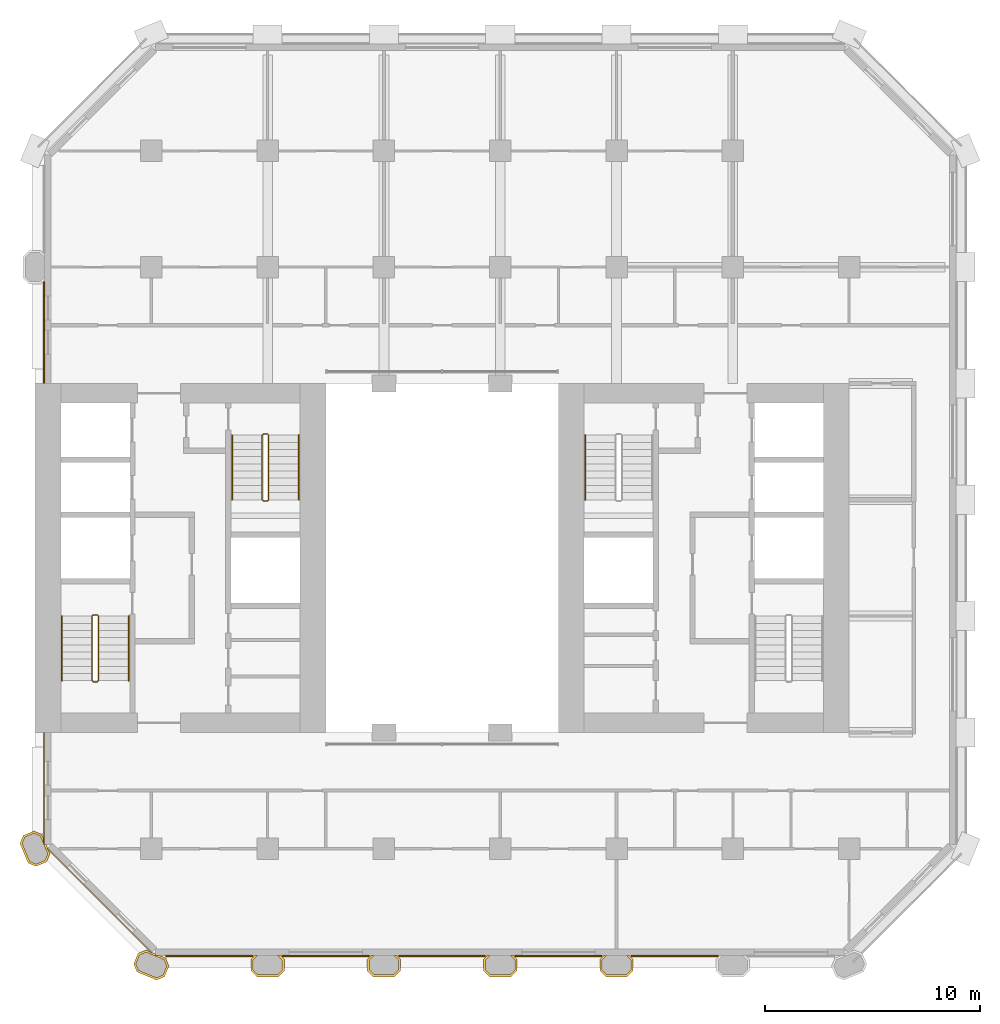
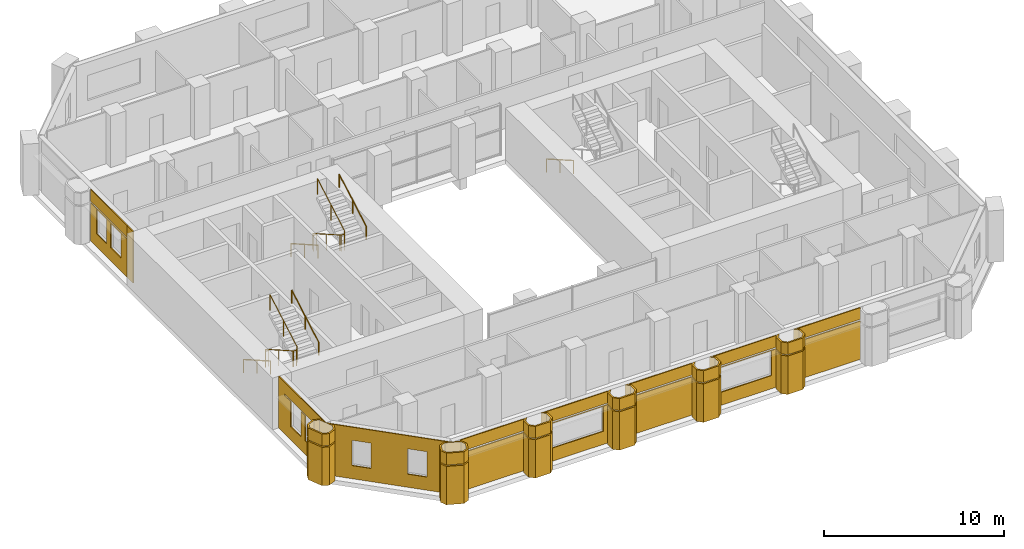
# One storey, part 9 of 11: 27 coverings, 7 railings.
"""IFC4 building model written with IfcOpenShell, lengths in metres."""

from ifc_helpers import new_model, si_unit, direction, frame, frame_2d, origin, origin_2d, place, context, subcontext, project, spatial, polyline, rectangle, circle, outline, extrude, material, layer, layer_set, type_object, element, save


model = new_model("IFC4")

# Units and contexts
model_context = context("Model", 3, precision=1e-05, world=origin(), true_north=direction((0.0, 1.0)))
body_context = subcontext(model_context, "Body", "Model", "MODEL_VIEW")
ifc_project = project(units=[si_unit("LENGTHUNIT", "METRE"), si_unit("AREAUNIT", "SQUARE_METRE"), si_unit("VOLUMEUNIT", "CUBIC_METRE"), si_unit("PLANEANGLEUNIT", "RADIAN"), si_unit("MASSUNIT", "GRAM", prefix="KILO")], contexts=[model_context])

# Site, building, storey
site_placement = place(None, origin())
site = spatial("IfcSite", under=ifc_project, at=site_placement, CompositionType="ELEMENT")
building_placement = place(site_placement, origin())
building = spatial("IfcBuilding", under=site, at=building_placement, Name="Tabaq Tower and Sports Hall", CompositionType="ELEMENT")
storey_placement = place(building_placement, frame((0.0, 0.0, 84.0)))
storey = spatial("IfcBuildingStorey", under=building, at=storey_placement, Name="L19", CompositionType="ELEMENT", Elevation=84.0)

# Coverings
ifc_material_1 = material(Name="Precast concrete C60/75", Category="concrete")
ifc_layer_1 = layer(ifc_material_1, 0.10009765625)
ifc_layer_set_1 = layer_set([ifc_layer_1], Name="Column cladding 100")
covering_type_1 = type_object("IfcCoveringType", Name="Column cladding 100", PredefinedType="CLADDING", material=ifc_layer_set_1)
covering_1_placement = place(storey_placement, origin())
element("IfcCovering", 1, at=covering_1_placement, inside=storey, type_object=covering_type_1, Name="Column cladding L19 PC-2C-O2", PredefinedType="CLADDING", context=body_context, shape_type="SweptSolid", body=[
    extrude(outline(polyline([(5.450439453125, 9.982421875), (5.080078125, 10.1357421875), (4.7041015625, 11.04345703125), (4.857421875, 11.413818359375), (5.349609375, 11.61767578125), (5.7197265625, 11.46435546875), (5.789794921875, 11.295654296875), (5.789794921875, 11.04296875), (5.849609375, 11.04296875), (5.849609375, 10.986083984375), (5.91796875, 10.986083984375), (5.9814453125, 10.83251953125), (5.9501953125, 10.801025390625), (6.026123046875, 10.72509765625), (6.095947265625, 10.556396484375), (5.9423828125, 10.186279296875), (5.450439453125, 9.982421875)]), holes=[polyline([(5.349609375, 11.510009765625), (4.93359375, 11.337646484375), (4.811767578125, 11.04345703125), (5.15625, 10.2119140625), (5.450439453125, 10.08984375), (5.866455078125, 10.26220703125), (5.98828125, 10.556396484375), (5.643798828125, 11.38818359375), (5.349609375, 11.510009765625)])]), origin(), (0.0, 0.0, 1.0), 2.60009765625),
])
covering_2_placement = place(storey_placement, frame((0.0, 0.0, 2.699951171875)))
element("IfcCovering", 2, at=covering_2_placement, inside=storey, type_object=covering_type_1, Name="Column cladding L19 PC-2C-O2 2", PredefinedType="CLADDING", context=body_context, shape_type="SweptSolid", body=[
    extrude(outline(polyline([(5.450439453125, 9.982421875), (5.080078125, 10.1357421875), (4.7041015625, 11.04345703125), (4.857421875, 11.413818359375), (5.349609375, 11.61767578125), (5.7197265625, 11.46435546875), (5.789794921875, 11.295654296875), (5.789794921875, 11.04296875), (5.849609375, 11.04296875), (5.849609375, 10.986083984375), (5.91796875, 10.986083984375), (5.9814453125, 10.83251953125), (5.9501953125, 10.801025390625), (6.026123046875, 10.72509765625), (6.095947265625, 10.556396484375), (5.9423828125, 10.186279296875), (5.450439453125, 9.982421875)]), holes=[polyline([(5.349609375, 11.510009765625), (4.93359375, 11.337646484375), (4.811767578125, 11.04345703125), (5.15625, 10.2119140625), (5.450439453125, 10.08984375), (5.866455078125, 10.26220703125), (5.98828125, 10.556396484375), (5.643798828125, 11.38818359375), (5.349609375, 11.510009765625)])]), origin(), (0.0, 0.0, 1.0), 0.800048828125),
])
covering_3_placement = place(storey_placement, origin())
element("IfcCovering", 3, at=covering_3_placement, inside=storey, type_object=covering_type_1, Name="Column cladding L19 PC-3B-O2", PredefinedType="CLADDING", context=body_context, shape_type="SweptSolid", body=[
    extrude(outline(polyline([(11.413818359375, 4.857421875), (11.04345703125, 4.7041015625), (10.1357421875, 5.080078125), (9.982421875, 5.450439453125), (10.186279296875, 5.9423828125), (10.556396484375, 6.095947265625), (10.72509765625, 6.026123046875), (10.801025390625, 5.9501953125), (10.83251953125, 5.9814453125), (10.986083984375, 5.91796875), (10.986083984375, 5.849609375), (11.15087890625, 5.849609375), (11.46435546875, 5.7197265625), (11.61767578125, 5.349609375), (11.413818359375, 4.857421875)]), holes=[polyline([(10.26220703125, 5.866455078125), (10.08984375, 5.450439453125), (10.2119140625, 5.15625), (11.04345703125, 4.811767578125), (11.337646484375, 4.93359375), (11.510009765625, 5.349609375), (11.38818359375, 5.643798828125), (10.556396484375, 5.98828125), (10.26220703125, 5.866455078125)])]), origin(), (0.0, 0.0, 1.0), 2.60009765625),
])
covering_4_placement = place(storey_placement, frame((0.0, 0.0, 2.699951171875)))
element("IfcCovering", 4, at=covering_4_placement, inside=storey, type_object=covering_type_1, Name="Column cladding L19 PC-3B-O2 2", PredefinedType="CLADDING", context=body_context, shape_type="SweptSolid", body=[
    extrude(outline(polyline([(11.413818359375, 4.857421875), (11.04345703125, 4.7041015625), (10.1357421875, 5.080078125), (9.982421875, 5.450439453125), (10.186279296875, 5.9423828125), (10.556396484375, 6.095947265625), (10.72509765625, 6.026123046875), (10.801025390625, 5.9501953125), (10.83251953125, 5.9814453125), (10.986083984375, 5.91796875), (10.986083984375, 5.849609375), (11.15087890625, 5.849609375), (11.46435546875, 5.7197265625), (11.61767578125, 5.349609375), (11.413818359375, 4.857421875)]), holes=[polyline([(10.26220703125, 5.866455078125), (10.08984375, 5.450439453125), (10.2119140625, 5.15625), (11.04345703125, 4.811767578125), (11.337646484375, 4.93359375), (11.510009765625, 5.349609375), (11.38818359375, 5.643798828125), (10.556396484375, 5.98828125), (10.26220703125, 5.866455078125)])]), origin(), (0.0, 0.0, 1.0), 0.800048828125),
])
covering_5_placement = place(storey_placement, origin())
element("IfcCovering", 5, at=covering_5_placement, inside=storey, type_object=covering_type_1, Name="Column cladding L19 PC-4B-O2", PredefinedType="CLADDING", context=body_context, shape_type="SweptSolid", body=[
    extrude(outline(polyline([(15.42529296875, 5.666259765625), (15.608642578125, 5.849609375), (15.749267578125, 5.849609375), (15.524658203125, 5.625244140625), (15.524658203125, 5.1748046875), (15.749755859375, 4.94970703125), (16.650146484375, 4.94970703125), (16.875244140625, 5.1748046875), (16.875244140625, 5.625244140625), (16.650634765625, 5.849609375), (16.791259765625, 5.849609375), (16.974609375, 5.666259765625), (16.974609375, 5.1337890625), (16.69140625, 4.850341796875), (15.708740234375, 4.850341796875), (15.42529296875, 5.1337890625), (15.42529296875, 5.666259765625)])), origin(), (0.0, 0.0, 1.0), 2.60009765625),
])
covering_6_placement = place(storey_placement, frame((0.0, 0.0, 2.699951171875)))
element("IfcCovering", 6, at=covering_6_placement, inside=storey, type_object=covering_type_1, Name="Column cladding L19 PC-4B-O2 2", PredefinedType="CLADDING", context=body_context, shape_type="SweptSolid", body=[
    extrude(outline(polyline([(15.42529296875, 5.666259765625), (15.608642578125, 5.849609375), (15.749267578125, 5.849609375), (15.524658203125, 5.625244140625), (15.524658203125, 5.1748046875), (15.749755859375, 4.94970703125), (16.650146484375, 4.94970703125), (16.875244140625, 5.1748046875), (16.875244140625, 5.625244140625), (16.650634765625, 5.849609375), (16.791259765625, 5.849609375), (16.974609375, 5.666259765625), (16.974609375, 5.1337890625), (16.69140625, 4.850341796875), (15.708740234375, 4.850341796875), (15.42529296875, 5.1337890625), (15.42529296875, 5.666259765625)])), origin(), (0.0, 0.0, 1.0), 0.800048828125),
])
covering_7_placement = place(storey_placement, origin())
element("IfcCovering", 7, at=covering_7_placement, inside=storey, type_object=covering_type_1, Name="Column cladding L19 PC-5B-O2", PredefinedType="CLADDING", context=body_context, shape_type="SweptSolid", body=[
    extrude(outline(polyline([(20.8251953125, 5.666259765625), (21.0087890625, 5.849609375), (21.149169921875, 5.849609375), (20.9248046875, 5.625244140625), (20.9248046875, 5.1748046875), (21.14990234375, 4.94970703125), (22.050048828125, 4.94970703125), (22.275390625, 5.1748046875), (22.275390625, 5.625244140625), (22.05078125, 5.849609375), (22.19140625, 5.849609375), (22.374755859375, 5.666259765625), (22.374755859375, 5.1337890625), (22.09130859375, 4.850341796875), (21.108642578125, 4.850341796875), (20.8251953125, 5.1337890625), (20.8251953125, 5.666259765625)])), origin(), (0.0, 0.0, 1.0), 2.60009765625),
])
covering_8_placement = place(storey_placement, frame((0.0, 0.0, 2.699951171875)))
element("IfcCovering", 8, at=covering_8_placement, inside=storey, type_object=covering_type_1, Name="Column cladding L19 PC-5B-O2 2", PredefinedType="CLADDING", context=body_context, shape_type="SweptSolid", body=[
    extrude(outline(polyline([(20.8251953125, 5.666259765625), (21.0087890625, 5.849609375), (21.149169921875, 5.849609375), (20.9248046875, 5.625244140625), (20.9248046875, 5.1748046875), (21.14990234375, 4.94970703125), (22.050048828125, 4.94970703125), (22.275390625, 5.1748046875), (22.275390625, 5.625244140625), (22.05078125, 5.849609375), (22.19140625, 5.849609375), (22.374755859375, 5.666259765625), (22.374755859375, 5.1337890625), (22.09130859375, 4.850341796875), (21.108642578125, 4.850341796875), (20.8251953125, 5.1337890625), (20.8251953125, 5.666259765625)])), origin(), (0.0, 0.0, 1.0), 0.800048828125),
])
covering_9_placement = place(storey_placement, origin())
element("IfcCovering", 9, at=covering_9_placement, inside=storey, type_object=covering_type_1, Name="Column cladding L19 PC-6B-O2", PredefinedType="CLADDING", context=body_context, shape_type="SweptSolid", body=[
    extrude(outline(polyline([(26.225341796875, 5.666259765625), (26.40869140625, 5.849609375), (26.54931640625, 5.849609375), (26.32470703125, 5.625244140625), (26.32470703125, 5.1748046875), (26.5498046875, 4.94970703125), (27.4501953125, 4.94970703125), (27.67529296875, 5.1748046875), (27.67529296875, 5.625244140625), (27.45068359375, 5.849609375), (27.59130859375, 5.849609375), (27.774658203125, 5.666259765625), (27.774658203125, 5.1337890625), (27.4912109375, 4.850341796875), (26.5087890625, 4.850341796875), (26.225341796875, 5.1337890625), (26.225341796875, 5.666259765625)])), origin(), (0.0, 0.0, 1.0), 2.60009765625),
])
covering_10_placement = place(storey_placement, frame((0.0, 0.0, 2.699951171875)))
element("IfcCovering", 10, at=covering_10_placement, inside=storey, type_object=covering_type_1, Name="Column cladding L19 PC-6B-O2 2", PredefinedType="CLADDING", context=body_context, shape_type="SweptSolid", body=[
    extrude(outline(polyline([(26.225341796875, 5.666259765625), (26.40869140625, 5.849609375), (26.54931640625, 5.849609375), (26.32470703125, 5.625244140625), (26.32470703125, 5.1748046875), (26.5498046875, 4.94970703125), (27.4501953125, 4.94970703125), (27.67529296875, 5.1748046875), (27.67529296875, 5.625244140625), (27.45068359375, 5.849609375), (27.59130859375, 5.849609375), (27.774658203125, 5.666259765625), (27.774658203125, 5.1337890625), (27.4912109375, 4.850341796875), (26.5087890625, 4.850341796875), (26.225341796875, 5.1337890625), (26.225341796875, 5.666259765625)])), origin(), (0.0, 0.0, 1.0), 0.800048828125),
])
covering_11_placement = place(storey_placement, origin())
element("IfcCovering", 11, at=covering_11_placement, inside=storey, type_object=covering_type_1, Name="Column cladding L19 PC-7B-O2", PredefinedType="CLADDING", context=body_context, shape_type="SweptSolid", body=[
    extrude(outline(polyline([(31.625244140625, 5.666259765625), (31.80859375, 5.849609375), (31.94921875, 5.849609375), (31.724609375, 5.625244140625), (31.724609375, 5.1748046875), (31.949951171875, 4.94970703125), (32.85009765625, 4.94970703125), (33.0751953125, 5.1748046875), (33.0751953125, 5.625244140625), (32.850830078125, 5.849609375), (32.9912109375, 5.849609375), (33.1748046875, 5.666259765625), (33.1748046875, 5.1337890625), (32.891357421875, 4.850341796875), (31.90869140625, 4.850341796875), (31.625244140625, 5.1337890625), (31.625244140625, 5.666259765625)])), origin(), (0.0, 0.0, 1.0), 2.60009765625),
])
covering_12_placement = place(storey_placement, frame((0.0, 0.0, 2.699951171875)))
element("IfcCovering", 12, at=covering_12_placement, inside=storey, type_object=covering_type_1, Name="Column cladding L19 PC-7B-O2 2", PredefinedType="CLADDING", context=body_context, shape_type="SweptSolid", body=[
    extrude(outline(polyline([(31.625244140625, 5.666259765625), (31.80859375, 5.849609375), (31.94921875, 5.849609375), (31.724609375, 5.625244140625), (31.724609375, 5.1748046875), (31.949951171875, 4.94970703125), (32.85009765625, 4.94970703125), (33.0751953125, 5.1748046875), (33.0751953125, 5.625244140625), (32.850830078125, 5.849609375), (32.9912109375, 5.849609375), (33.1748046875, 5.666259765625), (33.1748046875, 5.1337890625), (32.891357421875, 4.850341796875), (31.90869140625, 4.850341796875), (31.625244140625, 5.1337890625), (31.625244140625, 5.666259765625)])), origin(), (0.0, 0.0, 1.0), 0.800048828125),
])

# Railings
ifc_material_2 = material(Name="Stainless steel", Category="steel")
railing_type_1 = type_object("IfcRailingType", Name="Stair guard", PredefinedType="GUARDRAIL", material=ifc_material_2)
railing_1_placement = place(storey_placement, frame((8.300048828125, 21.64990234375, 0.0)))
element("IfcRailing", 13, at=railing_1_placement, inside=storey, type_object=railing_type_1, Name="L19 ST1 stair guard 1", PredefinedType="GUARDRAIL", context=body_context, shape_type="SweptSolid", body=[
    extrude(circle(Radius=0.02392578125, at=origin_2d()), frame((0.0, 0.0, 1.076171875), z_axis=(-1.0, 0.0, 0.0), x_axis=(0.0, -1.0, 0.0)), (0.0, 0.0, 1.0), 0.199951171875),
    extrude(circle(Radius=0.02392578125, at=origin_2d()), frame((-0.199951171875, 0.0, 1.076171875), z_axis=(-0.246983470365, -0.245778672949, 0.937332389972), x_axis=(0.705375805398, -0.708833529934, 0.0)), (0.0, 0.0, 1.0), 0.20263671875),
    extrude(circle(Radius=0.02392578125, at=origin_2d()), frame((-0.25, -0.0498046875, 1.26611328125), z_axis=(0.0, -0.868782136927, 0.495194505781), x_axis=(1.0, 0.0, 0.0)), (0.0, 0.0, 1.0), 3.453125),
    extrude(circle(Radius=0.02392578125, at=origin_2d()), frame((-0.25, -3.0498046875, 2.97607421875), z_axis=(0.707106781187, -0.707106781187, 0.0), x_axis=(0.707106781187, 0.707106781187, 0.0)), (0.0, 0.0, 1.0), 0.07080078125),
    extrude(circle(Radius=0.02392578125, at=origin_2d()), frame((-0.199951171875, -3.099853515625, 2.97607421875), z_axis=(1.0, 0.0, 0.0), x_axis=(0.0, 1.0, 0.0)), (0.0, 0.0, 1.0), 0.199951171875),
    extrude(circle(Radius=0.02392578125, at=origin_2d()), frame((0.0, -3.099853515625, 2.97607421875), z_axis=(0.246631811833, 0.246631811833, 0.937200884967), x_axis=(-0.707106781187, 0.707106781187, 0.0)), (0.0, 0.0, 1.0), 0.202880859375),
    extrude(circle(Radius=0.02392578125, at=origin_2d()), frame((0.050048828125, -3.0498046875, 3.166015625), z_axis=(0.0, 0.868782136927, 0.495194505781), x_axis=(-1.0, 0.0, 0.0)), (0.0, 0.0, 1.0), 3.453125),
    extrude(circle(Radius=0.02099609375, at=origin_2d()), origin(), (0.0, 0.0, 1.0), 1.052001953125),
    extrude(circle(Radius=0.02099609375, at=origin_2d()), frame((-0.199951171875, 0.0, 0.0)), (0.0, 0.0, 1.0), 1.052001953125),
    extrude(circle(Radius=0.02099609375, at=origin_2d()), frame((-0.25, -0.0498046875, 0.18994140625)), (0.0, 0.0, 1.0), 1.052001953125),
    extrude(circle(Radius=0.02099609375, at=origin_2d()), frame((-0.25, -1.5498046875, 1.044921875)), (0.0, 0.0, 1.0), 1.052001953125),
    extrude(circle(Radius=0.02099609375, at=origin_2d()), frame((-0.25, -3.0498046875, 1.89990234375)), (0.0, 0.0, 1.0), 1.052001953125),
    extrude(circle(Radius=0.02099609375, at=origin_2d()), frame((-0.199951171875, -3.099853515625, 1.89990234375)), (0.0, 0.0, 1.0), 1.052001953125),
    extrude(circle(Radius=0.02099609375, at=origin_2d()), frame((0.0, -3.099853515625, 1.89990234375)), (0.0, 0.0, 1.0), 1.052001953125),
    extrude(circle(Radius=0.02099609375, at=origin_2d()), frame((0.050048828125, -3.0498046875, 2.090087890625)), (0.0, 0.0, 1.0), 1.052001953125),
    extrude(circle(Radius=0.02099609375, at=origin_2d()), frame((0.050048828125, -1.5498046875, 2.945068359375)), (0.0, 0.0, 1.0), 1.052001953125),
    extrude(circle(Radius=0.02099609375, at=origin_2d()), frame((0.050048828125, -0.0498046875, 3.800048828125)), (0.0, 0.0, 1.0), 1.052001953125),
])
railing_2_placement = place(storey_placement, frame((16.199951171875, 30.050048828125, 0.0)))
element("IfcRailing", 14, at=railing_2_placement, inside=storey, type_object=railing_type_1, Name="L19 ST2 stair guard 1", PredefinedType="GUARDRAIL", context=body_context, shape_type="SweptSolid", body=[
    extrude(circle(Radius=0.02392578125, at=origin_2d()), frame((0.0, 0.0, 1.076171875), z_axis=(-1.0, 0.0, 0.0), x_axis=(0.0, -1.0, 0.0)), (0.0, 0.0, 1.0), 0.199951171875),
    extrude(circle(Radius=0.02392578125, at=origin_2d()), frame((-0.199951171875, 0.0, 1.076171875), z_axis=(-0.246910188598, -0.246910188598, 0.937054276727), x_axis=(0.707106781187, -0.707106781187, 0.0)), (0.0, 0.0, 1.0), 0.20263671875),
    extrude(circle(Radius=0.02392578125, at=origin_2d()), frame((-0.25, -0.050048828125, 1.26611328125), z_axis=(0.0, -0.868782136927, 0.495194505781), x_axis=(1.0, 0.0, 0.0)), (0.0, 0.0, 1.0), 3.453125),
    extrude(circle(Radius=0.02392578125, at=origin_2d()), frame((-0.25, -3.050048828125, 2.97607421875), z_axis=(0.707106781187, -0.707106781187, 0.0), x_axis=(0.707106781187, 0.707106781187, 0.0)), (0.0, 0.0, 1.0), 0.07080078125),
    extrude(circle(Radius=0.02392578125, at=origin_2d()), frame((-0.199951171875, -3.10009765625, 2.97607421875), z_axis=(1.0, 0.0, 0.0), x_axis=(0.0, 1.0, 0.0)), (0.0, 0.0, 1.0), 0.199951171875),
    extrude(circle(Radius=0.02392578125, at=origin_2d()), frame((0.0, -3.10009765625, 2.97607421875), z_axis=(0.246631811833, 0.246631811833, 0.937200884967), x_axis=(-0.707106781187, 0.707106781187, 0.0)), (0.0, 0.0, 1.0), 0.202880859375),
    extrude(circle(Radius=0.02392578125, at=origin_2d()), frame((0.050048828125, -3.050048828125, 3.166015625), z_axis=(0.0, 0.868782136927, 0.495194505781), x_axis=(-1.0, 0.0, 0.0)), (0.0, 0.0, 1.0), 3.453125),
    extrude(circle(Radius=0.02099609375, at=origin_2d()), origin(), (0.0, 0.0, 1.0), 1.052001953125),
    extrude(circle(Radius=0.02099609375, at=origin_2d()), frame((-0.199951171875, 0.0, 0.0)), (0.0, 0.0, 1.0), 1.052001953125),
    extrude(circle(Radius=0.02099609375, at=origin_2d()), frame((-0.25, -0.050048828125, 0.18994140625)), (0.0, 0.0, 1.0), 1.052001953125),
    extrude(circle(Radius=0.02099609375, at=origin_2d()), frame((-0.25, -1.550048828125, 1.044921875)), (0.0, 0.0, 1.0), 1.052001953125),
    extrude(circle(Radius=0.02099609375, at=origin_2d()), frame((-0.25, -3.050048828125, 1.89990234375)), (0.0, 0.0, 1.0), 1.052001953125),
    extrude(circle(Radius=0.02099609375, at=origin_2d()), frame((-0.199951171875, -3.10009765625, 1.89990234375)), (0.0, 0.0, 1.0), 1.052001953125),
    extrude(circle(Radius=0.02099609375, at=origin_2d()), frame((0.0, -3.10009765625, 1.89990234375)), (0.0, 0.0, 1.0), 1.052001953125),
    extrude(circle(Radius=0.02099609375, at=origin_2d()), frame((0.050048828125, -3.050048828125, 2.090087890625)), (0.0, 0.0, 1.0), 1.052001953125),
    extrude(circle(Radius=0.02099609375, at=origin_2d()), frame((0.050048828125, -1.550048828125, 2.945068359375)), (0.0, 0.0, 1.0), 1.052001953125),
    extrude(circle(Radius=0.02099609375, at=origin_2d()), frame((0.050048828125, -0.050048828125, 3.800048828125)), (0.0, 0.0, 1.0), 1.052001953125),
])
ifc_material_3 = material(Name="Stainless steel", Category="steel")
railing_type_2 = type_object("IfcRailingType", Name="Stair handrail", PredefinedType="HANDRAIL", material=ifc_material_3)
railing_3_placement = place(storey_placement, frame((6.64990234375, 21.60009765625, 0.18994140625)))
element("IfcRailing", 15, at=railing_3_placement, inside=storey, type_object=railing_type_2, Name="L19 ST1 stair handrail 1", PredefinedType="HANDRAIL", context=body_context, shape_type="SweptSolid", body=[
    extrude(circle(Radius=0.02392578125, at=origin_2d()), frame((0.0, 0.0, 0.8759765625), z_axis=(0.0, -0.868782136927, 0.495194505781), x_axis=(1.0, 0.0, 0.0)), (0.0, 0.0, 1.0), 3.453125),
    extrude(circle(Radius=0.02099609375, at=origin_2d()), origin(), (0.0, 0.0, 1.0), 0.851806640625),
    extrude(circle(Radius=0.02099609375, at=origin_2d()), frame((0.0, -1.5, 0.85498046875)), (0.0, 0.0, 1.0), 0.851806640625),
    extrude(circle(Radius=0.02099609375, at=origin_2d()), frame((0.0, -3.0, 1.7099609375)), (0.0, 0.0, 1.0), 0.851806640625),
])
railing_4_placement = place(storey_placement, frame((9.75, 18.60009765625, 2.090087890625)))
element("IfcRailing", 16, at=railing_4_placement, inside=storey, type_object=railing_type_2, Name="L19 ST1 stair handrail 2", PredefinedType="HANDRAIL", context=body_context, shape_type="SweptSolid", body=[
    extrude(circle(Radius=0.02392578125, at=origin_2d()), frame((0.0, 0.0, 0.8759765625), z_axis=(0.0, 0.868782136927, 0.495194505781), x_axis=(-1.0, 0.0, 0.0)), (0.0, 0.0, 1.0), 3.453125),
    extrude(circle(Radius=0.02099609375, at=origin_2d()), origin(), (0.0, 0.0, 1.0), 0.851806640625),
    extrude(circle(Radius=0.02099609375, at=origin_2d()), frame((0.0, 1.5, 0.85498046875)), (0.0, 0.0, 1.0), 0.851806640625),
    extrude(circle(Radius=0.02099609375, at=origin_2d()), frame((0.0, 3.0, 1.7099609375)), (0.0, 0.0, 1.0), 0.851806640625),
])
railing_5_placement = place(storey_placement, frame((14.550048828125, 30.0, 0.18994140625)))
element("IfcRailing", 17, at=railing_5_placement, inside=storey, type_object=railing_type_2, Name="L19 ST2 stair handrail 1", PredefinedType="HANDRAIL", context=body_context, shape_type="SweptSolid", body=[
    extrude(circle(Radius=0.02392578125, at=origin_2d()), frame((0.0, 0.0, 0.8759765625), z_axis=(0.0, -0.868782136927, 0.495194505781), x_axis=(1.0, 0.0, 0.0)), (0.0, 0.0, 1.0), 3.453125),
    extrude(circle(Radius=0.02099609375, at=origin_2d()), origin(), (0.0, 0.0, 1.0), 0.851806640625),
    extrude(circle(Radius=0.02099609375, at=origin_2d()), frame((0.0, -1.5, 0.85498046875)), (0.0, 0.0, 1.0), 0.851806640625),
    extrude(circle(Radius=0.02099609375, at=origin_2d()), frame((0.0, -3.0, 1.7099609375)), (0.0, 0.0, 1.0), 0.851806640625),
])
railing_6_placement = place(storey_placement, frame((17.64990234375, 27.0, 2.090087890625)))
element("IfcRailing", 18, at=railing_6_placement, inside=storey, type_object=railing_type_2, Name="L19 ST2 stair handrail 2", PredefinedType="HANDRAIL", context=body_context, shape_type="SweptSolid", body=[
    extrude(circle(Radius=0.02392578125, at=origin_2d()), frame((0.0, 0.0, 0.8759765625), z_axis=(0.0, 0.868782136927, 0.495194505781), x_axis=(-1.0, 0.0, 0.0)), (0.0, 0.0, 1.0), 3.453125),
    extrude(circle(Radius=0.02099609375, at=origin_2d()), origin(), (0.0, 0.0, 1.0), 0.851806640625),
    extrude(circle(Radius=0.02099609375, at=origin_2d()), frame((0.0, 1.5, 0.85498046875)), (0.0, 0.0, 1.0), 0.851806640625),
    extrude(circle(Radius=0.02099609375, at=origin_2d()), frame((0.0, 3.0, 1.7099609375)), (0.0, 0.0, 1.0), 0.851806640625),
])
railing_7_placement = place(storey_placement, frame((30.949951171875, 30.0, 0.18994140625)))
element("IfcRailing", 19, at=railing_7_placement, inside=storey, type_object=railing_type_2, Name="L19 ST4 stair handrail 1", PredefinedType="HANDRAIL", context=body_context, shape_type="SweptSolid", body=[
    extrude(circle(Radius=0.02392578125, at=origin_2d()), frame((0.0, 0.0, 0.8759765625), z_axis=(0.0, -0.868782136927, 0.495194505781), x_axis=(1.0, 0.0, 0.0)), (0.0, 0.0, 1.0), 3.453125),
    extrude(circle(Radius=0.02099609375, at=origin_2d()), origin(), (0.0, 0.0, 1.0), 0.851806640625),
    extrude(circle(Radius=0.02099609375, at=origin_2d()), frame((0.0, -1.5, 0.85498046875)), (0.0, 0.0, 1.0), 0.851806640625),
    extrude(circle(Radius=0.02099609375, at=origin_2d()), frame((0.0, -3.0, 1.7099609375)), (0.0, 0.0, 1.0), 0.851806640625),
])

# Coverings
ifc_material_4 = material(Name="Precast concrete C60/75", Category="concrete")
ifc_layer_2 = layer(ifc_material_4, 0.06005859375)
ifc_layer_set_2 = layer_set([ifc_layer_2], Name="White precast cladding panel 60 C60/75")
covering_type_2 = type_object("IfcCoveringType", Name="White precast cladding panel 60 C60/75", PredefinedType="CLADDING", material=ifc_layer_set_2)
covering_13_placement = place(storey_placement, frame((11.465087890625, 5.820068359375, 0.0), z_axis=(0.0, 0.0, 1.0), x_axis=(1.0, 0.0, 0.0)))
element("IfcCovering", 20, at=covering_13_placement, inside=storey, type_object=covering_type_2, Name="White precast cladding panel L19 wall00", PredefinedType="CLADDING", context=body_context, shape_type="SweptSolid", body=[
    extrude(rectangle(XDim=4.0498046875, YDim=0.06005859375, at=frame_2d((2.02490234375, 0.0))), origin(), (0.0, 0.0, 1.0), 2.590087890625),
])
covering_14_placement = place(storey_placement, frame((11.465087890625, 5.820068359375, 2.7099609375), z_axis=(0.0, 0.0, 1.0), x_axis=(1.0, 0.0, 0.0)))
element("IfcCovering", 21, at=covering_14_placement, inside=storey, type_object=covering_type_2, Name="White precast cladding panel L19 wall00 2", PredefinedType="CLADDING", context=body_context, shape_type="SweptSolid", body=[
    extrude(rectangle(XDim=4.0498046875, YDim=0.06005859375, at=frame_2d((2.02490234375, 0.0))), origin(), (0.0, 0.0, 1.0), 0.7900390625),
])
covering_15_placement = place(storey_placement, frame((16.885009765625, 5.820068359375, 0.0), z_axis=(0.0, 0.0, 1.0), x_axis=(1.0, 0.0, 0.0)))
element("IfcCovering", 22, at=covering_15_placement, inside=storey, type_object=covering_type_2, Name="White precast cladding panel L19 wall00 3", PredefinedType="CLADDING", context=body_context, shape_type="SweptSolid", body=[
    extrude(outline(polyline([(0.0, 0.0), (4.030029296875, 0.0), (4.030029296875, 2.590087890625), (0.0, 2.590087890625), (0.0, 0.0)]), holes=[polyline([(3.72509765625, 0.889892578125), (0.304931640625, 0.889892578125), (0.304931640625, 2.56005859375), (3.72509765625, 2.56005859375), (3.72509765625, 0.889892578125)])]), frame((0.0, 0.030029296875, 0.0), z_axis=(0.0, -1.0, 0.0), x_axis=(1.0, 0.0, 0.0)), (0.0, 0.0, 1.0), 0.06005859375),
])
covering_16_placement = place(storey_placement, frame((16.885009765625, 5.820068359375, 2.7099609375), z_axis=(0.0, 0.0, 1.0), x_axis=(1.0, 0.0, 0.0)))
element("IfcCovering", 23, at=covering_16_placement, inside=storey, type_object=covering_type_2, Name="White precast cladding panel L19 wall00 4", PredefinedType="CLADDING", context=body_context, shape_type="SweptSolid", body=[
    extrude(rectangle(XDim=4.030029296875, YDim=0.06005859375, at=frame_2d((2.01513671875, 0.0))), origin(), (0.0, 0.0, 1.0), 0.7900390625),
])
covering_17_placement = place(storey_placement, frame((22.284912109375, 5.820068359375, 0.0), z_axis=(0.0, 0.0, 1.0), x_axis=(1.0, 0.0, 0.0)))
element("IfcCovering", 24, at=covering_17_placement, inside=storey, type_object=covering_type_2, Name="White precast cladding panel L19 wall00 5", PredefinedType="CLADDING", context=body_context, shape_type="SweptSolid", body=[
    extrude(rectangle(XDim=4.030029296875, YDim=0.06005859375, at=frame_2d((2.01513671875, 0.0))), origin(), (0.0, 0.0, 1.0), 2.590087890625),
])
covering_18_placement = place(storey_placement, frame((22.284912109375, 5.820068359375, 2.7099609375), z_axis=(0.0, 0.0, 1.0), x_axis=(1.0, 0.0, 0.0)))
element("IfcCovering", 25, at=covering_18_placement, inside=storey, type_object=covering_type_2, Name="White precast cladding panel L19 wall00 6", PredefinedType="CLADDING", context=body_context, shape_type="SweptSolid", body=[
    extrude(rectangle(XDim=4.030029296875, YDim=0.06005859375, at=frame_2d((2.01513671875, 0.0))), origin(), (0.0, 0.0, 1.0), 0.7900390625),
])
covering_19_placement = place(storey_placement, frame((27.68505859375, 5.820068359375, 0.0), z_axis=(0.0, 0.0, 1.0), x_axis=(1.0, 0.0, 0.0)))
element("IfcCovering", 26, at=covering_19_placement, inside=storey, type_object=covering_type_2, Name="White precast cladding panel L19 wall00 7", PredefinedType="CLADDING", context=body_context, shape_type="SweptSolid", body=[
    extrude(outline(polyline([(0.0, 0.0), (4.030029296875, 0.0), (4.030029296875, 2.590087890625), (0.0, 2.590087890625), (0.0, 0.0)]), holes=[polyline([(3.72509765625, 0.889892578125), (0.304931640625, 0.889892578125), (0.304931640625, 2.56005859375), (3.72509765625, 2.56005859375), (3.72509765625, 0.889892578125)])]), frame((0.0, 0.030029296875, 0.0), z_axis=(0.0, -1.0, 0.0), x_axis=(1.0, 0.0, 0.0)), (0.0, 0.0, 1.0), 0.06005859375),
])
covering_20_placement = place(storey_placement, frame((27.68505859375, 5.820068359375, 2.7099609375), z_axis=(0.0, 0.0, 1.0), x_axis=(1.0, 0.0, 0.0)))
element("IfcCovering", 27, at=covering_20_placement, inside=storey, type_object=covering_type_2, Name="White precast cladding panel L19 wall00 8", PredefinedType="CLADDING", context=body_context, shape_type="SweptSolid", body=[
    extrude(rectangle(XDim=4.030029296875, YDim=0.06005859375, at=frame_2d((2.01513671875, 0.0))), origin(), (0.0, 0.0, 1.0), 0.7900390625),
])
covering_21_placement = place(storey_placement, frame((33.0849609375, 5.820068359375, 0.0), z_axis=(0.0, 0.0, 1.0), x_axis=(1.0, 0.0, 0.0)))
element("IfcCovering", 28, at=covering_21_placement, inside=storey, type_object=covering_type_2, Name="White precast cladding panel L19 wall00 9", PredefinedType="CLADDING", context=body_context, shape_type="SweptSolid", body=[
    extrude(rectangle(XDim=4.030029296875, YDim=0.06005859375, at=frame_2d((2.01513671875, 0.0))), origin(), (0.0, 0.0, 1.0), 2.590087890625),
])
covering_22_placement = place(storey_placement, frame((33.0849609375, 5.820068359375, 2.7099609375), z_axis=(0.0, 0.0, 1.0), x_axis=(1.0, 0.0, 0.0)))
element("IfcCovering", 29, at=covering_22_placement, inside=storey, type_object=covering_type_2, Name="White precast cladding panel L19 wall00 10", PredefinedType="CLADDING", context=body_context, shape_type="SweptSolid", body=[
    extrude(rectangle(XDim=4.030029296875, YDim=0.06005859375, at=frame_2d((2.01513671875, 0.0))), origin(), (0.0, 0.0, 1.0), 0.7900390625),
])
covering_23_placement = place(storey_placement, frame((5.820068359375, 37.114990234375, 0.0), z_axis=(0.0, 0.0, 1.0), x_axis=(0.0, -1.0, 0.0)))
element("IfcCovering", 30, at=covering_23_placement, inside=storey, type_object=covering_type_2, Name="White precast cladding panel L19 wall06 3", PredefinedType="CLADDING", context=body_context, shape_type="SweptSolid", body=[
    extrude(outline(polyline([(0.0, 0.0), (4.050048828125, 0.0), (4.050048828125, 2.590087890625), (0.0, 2.590087890625), (0.0, 0.0)]), holes=[polyline([(0.655029296875, 0.889892578125), (0.655029296875, 2.56005859375), (1.77490234375, 2.56005859375), (1.77490234375, 0.889892578125), (0.655029296875, 0.889892578125)]), polyline([(2.2548828125, 0.889892578125), (2.2548828125, 2.56005859375), (3.375, 2.56005859375), (3.375, 0.889892578125), (2.2548828125, 0.889892578125)])]), frame((0.0, 0.030029296875, 0.0), z_axis=(0.0, -1.0, 0.0), x_axis=(1.0, 0.0, 0.0)), (0.0, 0.0, 1.0), 0.06005859375),
])
covering_24_placement = place(storey_placement, frame((5.820068359375, 37.114990234375, 2.7099609375), z_axis=(0.0, 0.0, 1.0), x_axis=(0.0, -1.0, 0.0)))
element("IfcCovering", 31, at=covering_24_placement, inside=storey, type_object=covering_type_2, Name="White precast cladding panel L19 wall06 4", PredefinedType="CLADDING", context=body_context, shape_type="SweptSolid", body=[
    extrude(rectangle(XDim=4.050048828125, YDim=0.06005859375, at=frame_2d((2.02490234375, 0.0))), origin(), (0.0, 0.0, 1.0), 0.7900390625),
])
covering_25_placement = place(storey_placement, frame((5.820068359375, 33.06494140625, 0.0), z_axis=(0.0, 0.0, 1.0), x_axis=(0.0, -1.0, 0.0)))
element("IfcCovering", 32, at=covering_25_placement, inside=storey, type_object=covering_type_2, Name="White precast cladding panel L19 wall06 5", PredefinedType="CLADDING", context=body_context, shape_type="SweptSolid", body=[
    extrude(rectangle(XDim=0.6650390625, YDim=0.06005859375, at=frame_2d((0.33251953125, 0.0))), origin(), (0.0, 0.0, 1.0), 3.5),
])
covering_26_placement = place(storey_placement, frame((5.820068359375, 16.199951171875, 0.0), z_axis=(0.0, 0.0, 1.0), x_axis=(0.0, -1.0, 0.0)))
element("IfcCovering", 33, at=covering_26_placement, inside=storey, type_object=covering_type_2, Name="White precast cladding panel L19 wall06-1", PredefinedType="CLADDING", context=body_context, shape_type="SweptSolid", body=[
    extrude(outline(polyline([(0.0, 0.0), (5.15673828125, 0.0), (5.15673828125, 3.5), (0.0, 3.5), (0.0, 0.0)]), holes=[polyline([(1.340087890625, 2.590087890625), (0.6650390625, 2.590087890625), (0.6650390625, 2.7099609375), (4.735107421875, 2.7099609375), (4.735107421875, 2.590087890625), (4.06005859375, 2.590087890625), (4.06005859375, 0.889892578125), (2.93994140625, 0.889892578125), (2.93994140625, 2.590087890625), (2.4599609375, 2.590087890625), (2.4599609375, 0.889892578125), (1.340087890625, 0.889892578125), (1.340087890625, 2.590087890625)])]), frame((0.0, 0.030029296875, 0.0), z_axis=(0.0, -1.0, 0.0), x_axis=(1.0, 0.0, 0.0)), (0.0, 0.0, 1.0), 0.06005859375),
])
covering_27_placement = place(storey_placement, frame((5.9716796875, 10.822265625, 0.0), z_axis=(0.0, 0.0, 1.0), x_axis=(0.707106781187, -0.707106781187, 0.0)))
element("IfcCovering", 34, at=covering_27_placement, inside=storey, type_object=covering_type_2, Name="White precast cladding panel L19 wall07", PredefinedType="CLADDING", context=body_context, shape_type="SweptSolid", body=[
    extrude(outline(polyline([(0.0, 0.0), (6.85986328125, 0.0), (6.85986328125, 3.5), (0.0, 3.5), (0.0, 0.0)]), holes=[polyline([(1.269775390625, 2.610107421875), (2.389892578125, 2.610107421875), (2.389892578125, 0.889892578125), (1.269775390625, 0.889892578125), (1.269775390625, 2.610107421875)]), polyline([(4.4697265625, 2.610107421875), (5.58984375, 2.610107421875), (5.58984375, 0.889892578125), (4.4697265625, 0.889892578125), (4.4697265625, 2.610107421875)])]), frame((0.0, 0.030029296875, 0.0), z_axis=(0.0, -1.0, 0.0), x_axis=(1.0, 0.0, 0.0)), (0.0, 0.0, 1.0), 0.06005859375),
])

save(model, "model.ifc")
